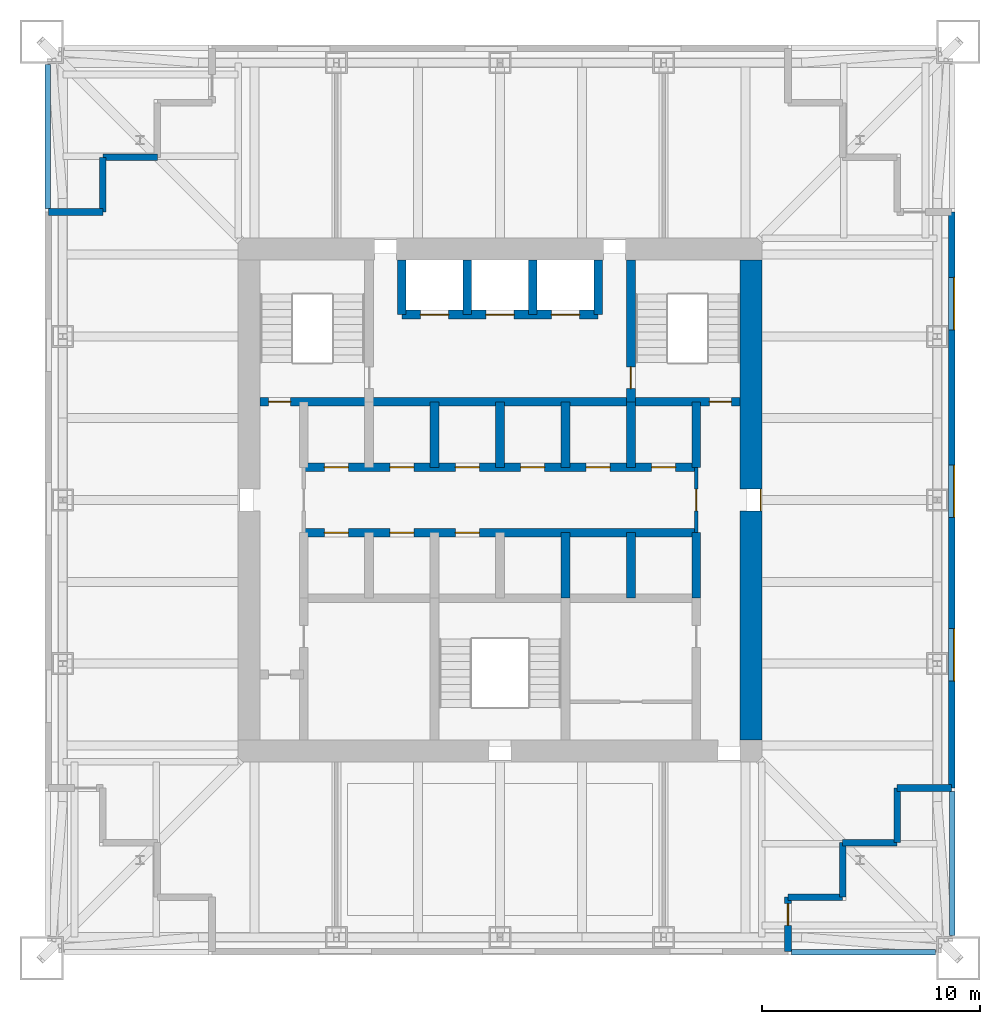
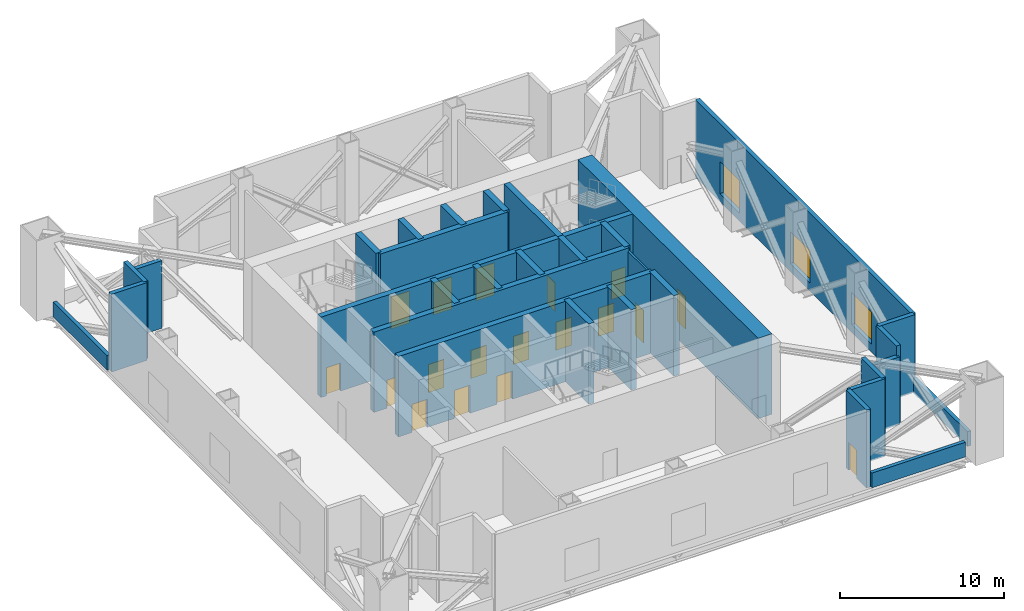
# One storey, part 4 of 7: 32 walls, 18 doors, 3 windows, 21 openings.
"""IFC4 building model written with IfcOpenShell, lengths in metres."""

import ifcopenshell
import ifcopenshell.guid

model = None  # the IFC model being written
_history = None  # IfcOwnerHistory: only IFC2X3 demands one
_inside = {}  # id of a spatial element -> (the spatial element, [elements in it])
_under = {}  # id of a project, library or spatial element -> (it, [spatial elements below it])
_declared = {}  # id of a project -> (the project, [libraries it declares])
_typed = {}  # id of a type object -> (the type object, [elements of that type])
_made_of = {}  # id of a material, layer set ... -> (it, [elements and type objects made of it])


def new_model(schema):
    """Start an empty IFC model of exactly this schema.

    Asked for "IFC4X3", IfcOpenShell would pick the latest addendum, in which some entities
    have other attributes; the version numbers below select the first issue.
    IFC2X3 requires an IfcOwnerHistory on every rooted entity: one is made here for all.
    """
    global model, _history
    if schema == "IFC4X3":
        model = ifcopenshell.file(schema_version=(4, 3, 0, 0))
    else:
        model = ifcopenshell.file(schema=schema)
    _inside.clear()
    _under.clear()
    _declared.clear()
    _typed.clear()
    _made_of.clear()
    _history = None
    if model.schema == "IFC2X3":
        org = make("IfcOrganization", Name="unknown")
        user = make(
            "IfcPersonAndOrganization",
            ThePerson=make("IfcPerson", FamilyName="unknown"),
            TheOrganization=org,
        )
        app = make(
            "IfcApplication",
            ApplicationDeveloper=org,
            Version="unknown",
            ApplicationFullName="unknown",
            ApplicationIdentifier="unknown",
        )
        _history = make(
            "IfcOwnerHistory",
            OwningUser=user,
            OwningApplication=app,
            ChangeAction="ADDED",
            CreationDate=0,
        )
    return model


def make(cls, **values):
    """One entity of the class cls with the attributes given. An attribute that is None is left unset."""
    return model.create_entity(
        cls, **{name: value for name, value in values.items() if value is not None}
    )


def rooted(cls, **values):
    """An entity with a GlobalId (a new one), such as an element, a storey or a relation."""
    return make(cls, GlobalId=ifcopenshell.guid.new(), OwnerHistory=_history, **values)


def si_unit(unit_type, name, prefix=None):
    """IfcSIUnit, for example si_unit("LENGTHUNIT", "METRE", prefix="MILLI")."""
    return make("IfcSIUnit", UnitType=unit_type, Prefix=prefix, Name=name)


def assignment(units):
    """IfcUnitAssignment: the units of a project."""
    return None if units is None else make("IfcUnitAssignment", Units=units)


def point(xyz):
    """IfcCartesianPoint."""
    return None if xyz is None else make("IfcCartesianPoint", Coordinates=xyz)


def direction(xyz):
    """IfcDirection."""
    return None if xyz is None else make("IfcDirection", DirectionRatios=xyz)


def frame(location, z_axis=None, x_axis=None):
    """IfcAxis2Placement3D, a coordinate frame: its origin and axes. An axis left out is left unset."""
    return make(
        "IfcAxis2Placement3D",
        Location=point(location),
        Axis=direction(z_axis),
        RefDirection=direction(x_axis),
    )


def frame_2d(location, x_axis=None):
    """IfcAxis2Placement2D, a coordinate frame in the plane: its origin and x axis."""
    return make(
        "IfcAxis2Placement2D", Location=point(location), RefDirection=direction(x_axis)
    )


def origin():
    """The frame at (0, 0, 0) with its axes left unset."""
    return frame((0.0, 0.0, 0.0))


def place(relative_to, where):
    """IfcLocalPlacement: puts the frame where relative to a parent placement (None: the world)."""
    return make(
        "IfcLocalPlacement", PlacementRelTo=relative_to, RelativePlacement=where
    )


def context(
    kind, dimensions, precision=None, world=None, true_north=None, identifier=None
):
    """IfcGeometricRepresentationContext, for example the 3D "Model" context."""
    return make(
        "IfcGeometricRepresentationContext",
        ContextIdentifier=identifier,
        ContextType=kind,
        CoordinateSpaceDimension=dimensions,
        Precision=precision,
        WorldCoordinateSystem=world,
        TrueNorth=true_north,
    )


def subcontext(parent, identifier, kind, view, scale=None):
    """IfcGeometricRepresentationSubContext, for example "Body" below "Model"."""
    return make(
        "IfcGeometricRepresentationSubContext",
        ContextIdentifier=identifier,
        ContextType=kind,
        ParentContext=parent,
        TargetScale=scale,
        TargetView=view,
    )


def project(units=None, contexts=None):
    """IfcProject with its units and contexts."""
    return rooted(
        "IfcProject",
        Name="project",
        RepresentationContexts=contexts,
        UnitsInContext=assignment(units),
    )


def spatial(cls, under=None, at=None, **own):
    """A site, building, storey or space (cls), placed at a placement, below another one or the project."""
    s = rooted(cls, ObjectPlacement=at, **own)
    if under is not None:
        _under.setdefault(under.id(), (under, []))[1].append(s)
    return s


def profile(cls, at=None, kind="AREA", **sizes):
    """A parametric profile (cls). Its sizes go by their IFC names, for example OverallWidth=200.0."""
    return make(cls, ProfileType=kind, Position=at, **sizes)


def rectangle(**sizes):
    """IfcRectangleProfileDef."""
    return profile("IfcRectangleProfileDef", **sizes)


def extrude(swept, where, along, depth):
    """IfcExtrudedAreaSolid: the profile swept, set in the frame where, extruded along a direction by depth."""
    return make(
        "IfcExtrudedAreaSolid",
        SweptArea=swept,
        Position=where,
        ExtrudedDirection=direction(along),
        Depth=depth,
    )


def shape(context_of_items, identifier, shape_type, items):
    """IfcShapeRepresentation: the items that make up one representation, for example the "Body"."""
    return make(
        "IfcShapeRepresentation",
        ContextOfItems=context_of_items,
        RepresentationIdentifier=identifier,
        RepresentationType=shape_type,
        Items=items,
    )


def material(Name=None, Category=None):
    """IfcMaterial."""
    return make("IfcMaterial", Name=Name, Category=Category)


def layer(
    of_material, thickness, ventilated=None, Name=None, Category=None, Priority=None
):
    """IfcMaterialLayer: one layer of a wall or slab, of a material (None: an air gap)."""
    return make(
        "IfcMaterialLayer",
        Material=of_material,
        LayerThickness=thickness,
        IsVentilated=ventilated,
        Name=Name,
        Category=Category,
        Priority=Priority,
    )


def layer_set(layers, Name=None):
    """IfcMaterialLayerSet."""
    return make("IfcMaterialLayerSet", MaterialLayers=layers, LayerSetName=Name)


def made_of(thing, what):
    """Note that an element or type object is made of a material, layer set ...; save() writes the relation."""
    if what is not None:
        _made_of.setdefault(what.id(), (what, []))[1].append(thing)
    return thing


def type_object(cls, material=None, **own):
    """A type object (cls), such as IfcWallType, which elements share."""
    return made_of(rooted(cls, **own), material)


def element(
    cls,
    number,
    at=None,
    inside=None,
    cuts=None,
    type_object=None,
    material=None,
    context=None,
    identifier="Body",
    shape_type=None,
    held_by="IfcProductDefinitionShape",
    body=None,
    shapes=None,
    **own,
):
    """One element of the class cls, such as IfcWall. Its Tag is "e" and its number.

    at: its placement. inside: the storey or other place that contains it. cuts: it is an
    opening in that element (IfcRelVoidsElement). A single representation is given by context,
    identifier, shape_type and body (its items); several are given by shapes. held_by: the class
    of the entity that holds the representations. save() writes the other relations.
    """
    e = rooted(cls, Tag="e%d" % number, ObjectPlacement=at, **own)
    if body is not None:
        shapes = [shape(context, identifier, shape_type, body)]
    if shapes is not None:
        e.Representation = make(held_by, Representations=shapes)
    if inside is not None:
        _inside.setdefault(inside.id(), (inside, []))[1].append(e)
    if cuts is not None:
        rooted(
            "IfcRelVoidsElement", RelatingBuildingElement=cuts, RelatedOpeningElement=e
        )
    if type_object is not None:
        _typed.setdefault(type_object.id(), (type_object, []))[1].append(e)
    return made_of(e, material)


def fill(opening, filler):
    """IfcRelFillsElement: the door or window that sits in an opening."""
    return rooted(
        "IfcRelFillsElement",
        RelatingOpeningElement=opening,
        RelatedBuildingElement=filler,
    )


def aggregate(whole, parts):
    """IfcRelAggregates: a whole, such as a stair, and the parts it consists of."""
    return rooted("IfcRelAggregates", RelatingObject=whole, RelatedObjects=parts)


def save(model, path):
    """Write the relations noted so far, then the file.

    IfcRelAggregates (storeys below a building ...), IfcRelContainedInSpatialStructure (elements
    in a storey), IfcRelDefinesByType, IfcRelAssociatesMaterial and IfcRelDeclares: one each for
    every whole, place, type object, material and project.
    """
    for whole, parts in _under.values():
        aggregate(whole, parts)
    for where, things in _inside.values():
        rooted(
            "IfcRelContainedInSpatialStructure",
            RelatedElements=things,
            RelatingStructure=where,
        )
    for kind, things in _typed.values():
        rooted("IfcRelDefinesByType", RelatedObjects=things, RelatingType=kind)
    for what, things in _made_of.values():
        rooted("IfcRelAssociatesMaterial", RelatedObjects=things, RelatingMaterial=what)
    for by, libraries in _declared.values():
        rooted("IfcRelDeclares", RelatingContext=by, RelatedDefinitions=libraries)
    model.write(path)


model = new_model("IFC4")

# Units and contexts
model_context = context("Model", 3, precision=1e-05, world=origin(), true_north=direction((0.0, 1.0)))
body_context = subcontext(model_context, "Body", "Model", "MODEL_VIEW")
ifc_project = project(units=[si_unit("LENGTHUNIT", "METRE"), si_unit("AREAUNIT", "SQUARE_METRE"), si_unit("VOLUMEUNIT", "CUBIC_METRE"), si_unit("PLANEANGLEUNIT", "RADIAN"), si_unit("MASSUNIT", "GRAM", prefix="KILO")], contexts=[model_context])

# Site, building, storey
site_placement = place(None, origin())
site = spatial("IfcSite", under=ifc_project, at=site_placement, CompositionType="ELEMENT")
building_placement = place(site_placement, origin())
building = spatial("IfcBuilding", under=site, at=building_placement, Name="Tarangal Relay Tower", CompositionType="ELEMENT")
storey_placement = place(building_placement, frame((0.0, 0.0, 335.89990234375)))
storey = spatial("IfcBuildingStorey", under=building, at=storey_placement, Name="L75", CompositionType="ELEMENT", Elevation=335.89990234375)

# Wall, openings, doors
ifc_material_1 = material(Name="Concrete fc' 60 MPa", Category="concrete")
ifc_layer_1 = layer(ifc_material_1, 0.39990234375)
ifc_layer_set_1 = layer_set([ifc_layer_1], Name="Core inner wall 400")
wall_type_1 = type_object("IfcWallType", Name="Core inner wall 400", PredefinedType="SHEAR", material=ifc_layer_set_1)
wall_1_placement = place(storey_placement, frame((-11.0, 4.5, 0.0), z_axis=(0.0, 0.0, 1.0), x_axis=(1.0, 0.0, 0.0)))
wall_1 = element("IfcWall", 1, at=wall_1_placement, inside=storey, type_object=wall_type_1, Name="Core wall Y45 L75", PredefinedType="SHEAR", context=body_context, shape_type="SweptSolid", body=[
    extrude(rectangle(XDim=22.0, YDim=0.39990234375, at=frame_2d((11.0, 0.0))), origin(), (0.0, 0.0, 1.0), 6.0),
])
opening_1_placement = place(wall_1_placement, frame((0.39990234375, 0.0, 0.0)))
opening_1 = element("IfcOpeningElement", 2, at=opening_1_placement, cuts=wall_1, Name="Opening FD1", PredefinedType="OPENING", context=body_context, shape_type="SweptSolid", body=[
    extrude(rectangle(XDim=1.0, YDim=2.10009765625, at=frame_2d((0.5, 1.050048828125))), frame((0.0, 0.2099609375, 0.0), z_axis=(0.0, -1.0, 0.0), x_axis=(1.0, 0.0, 0.0)), (0.0, 0.0, 1.0), 0.419921875),
])
opening_2_placement = place(wall_1_placement, frame((20.60009765625, 0.0, 0.0)))
opening_2 = element("IfcOpeningElement", 3, at=opening_2_placement, cuts=wall_1, Name="Opening FD1", PredefinedType="OPENING", context=body_context, shape_type="SweptSolid", body=[
    extrude(rectangle(XDim=1.0, YDim=2.10009765625, at=frame_2d((0.5, 1.050048828125))), frame((0.0, 0.2099609375, 0.0), z_axis=(0.0, -1.0, 0.0), x_axis=(1.0, 0.0, 0.0)), (0.0, 0.0, 1.0), 0.419921875),
])
ifc_material_2 = material(Name="Steel door with hardwood frame", Category="steel")
door_type_1 = type_object("IfcDoorType", Name="Fire door 1000 x 2100", OperationType="SINGLE_SWING_LEFT", PredefinedType="DOOR", material=ifc_material_2)
door_1_placement = place(opening_1_placement, origin())
door_1 = element("IfcDoor", 4, at=door_1_placement, inside=storey, type_object=door_type_1, Name="Stair ST-A door from corridor L75", OperationType="SINGLE_SWING_LEFT", OverallHeight=2.10009765625, OverallWidth=1.0, PredefinedType="DOOR", context=body_context, shape_type="SweptSolid", body=[
    extrude(rectangle(XDim=1.0, YDim=2.10009765625, at=frame_2d((0.5, 1.050048828125))), frame((0.0, 0.02490234375, 0.0), z_axis=(0.0, -1.0, 0.0), x_axis=(1.0, 0.0, 0.0)), (0.0, 0.0, 1.0), 0.050048828125),
])
fill(opening_1, door_1)
door_2_placement = place(opening_2_placement, origin())
door_2 = element("IfcDoor", 5, at=door_2_placement, inside=storey, type_object=door_type_1, Name="Stair ST-B door from corridor L75", OperationType="SINGLE_SWING_LEFT", OverallHeight=2.10009765625, OverallWidth=1.0, PredefinedType="DOOR", context=body_context, shape_type="SweptSolid", body=[
    extrude(rectangle(XDim=1.0, YDim=2.10009765625, at=frame_2d((0.5, 1.050048828125))), frame((0.0, 0.02490234375, 0.0), z_axis=(0.0, -1.0, 0.0), x_axis=(1.0, 0.0, 0.0)), (0.0, 0.0, 1.0), 0.050048828125),
])
fill(opening_2, door_2)

wall_2_placement = place(storey_placement, frame((-9.0, 1.5, 0.0), z_axis=(0.0, 0.0, 1.0), x_axis=(1.0, 0.0, 0.0)))
wall_2 = element("IfcWall", 6, at=wall_2_placement, inside=storey, type_object=wall_type_1, Name="Core wall Y15 L75", PredefinedType="SHEAR", context=body_context, shape_type="SweptSolid", body=[
    extrude(rectangle(XDim=18.0, YDim=0.39990234375, at=frame_2d((9.0, 0.0))), origin(), (0.0, 0.0, 1.0), 6.0),
])
opening_3_placement = place(wall_2_placement, frame((0.949951171875, 0.0, 0.0)))
opening_3 = element("IfcOpeningElement", 7, at=opening_3_placement, cuts=wall_2, Name="Opening D4", PredefinedType="OPENING", context=body_context, shape_type="SweptSolid", body=[
    extrude(rectangle(XDim=1.10009765625, YDim=2.10009765625, at=frame_2d((0.550048828125, 1.050048828125))), frame((0.0, 0.2099609375, 0.0), z_axis=(0.0, -1.0, 0.0), x_axis=(1.0, 0.0, 0.0)), (0.0, 0.0, 1.0), 0.419921875),
])
opening_4_placement = place(wall_2_placement, frame((3.949951171875, 0.0, 0.0)))
opening_4 = element("IfcOpeningElement", 8, at=opening_4_placement, cuts=wall_2, Name="Opening D4", PredefinedType="OPENING", context=body_context, shape_type="SweptSolid", body=[
    extrude(rectangle(XDim=1.10009765625, YDim=2.10009765625, at=frame_2d((0.550048828125, 1.050048828125))), frame((0.0, 0.2099609375, 0.0), z_axis=(0.0, -1.0, 0.0), x_axis=(1.0, 0.0, 0.0)), (0.0, 0.0, 1.0), 0.419921875),
])
opening_5_placement = place(wall_2_placement, frame((6.949951171875, 0.0, 0.0)))
opening_5 = element("IfcOpeningElement", 9, at=opening_5_placement, cuts=wall_2, Name="Opening D4", PredefinedType="OPENING", context=body_context, shape_type="SweptSolid", body=[
    extrude(rectangle(XDim=1.10009765625, YDim=2.10009765625, at=frame_2d((0.550048828125, 1.050048828125))), frame((0.0, 0.2099609375, 0.0), z_axis=(0.0, -1.0, 0.0), x_axis=(1.0, 0.0, 0.0)), (0.0, 0.0, 1.0), 0.419921875),
])
opening_6_placement = place(wall_2_placement, frame((9.949951171875, 0.0, 0.0)))
opening_6 = element("IfcOpeningElement", 10, at=opening_6_placement, cuts=wall_2, Name="Opening D4", PredefinedType="OPENING", context=body_context, shape_type="SweptSolid", body=[
    extrude(rectangle(XDim=1.10009765625, YDim=2.10009765625, at=frame_2d((0.550048828125, 1.050048828125))), frame((0.0, 0.2099609375, 0.0), z_axis=(0.0, -1.0, 0.0), x_axis=(1.0, 0.0, 0.0)), (0.0, 0.0, 1.0), 0.419921875),
])
opening_7_placement = place(wall_2_placement, frame((12.949951171875, 0.0, 0.0)))
opening_7 = element("IfcOpeningElement", 11, at=opening_7_placement, cuts=wall_2, Name="Opening D4", PredefinedType="OPENING", context=body_context, shape_type="SweptSolid", body=[
    extrude(rectangle(XDim=1.10009765625, YDim=2.10009765625, at=frame_2d((0.550048828125, 1.050048828125))), frame((0.0, 0.2099609375, 0.0), z_axis=(0.0, -1.0, 0.0), x_axis=(1.0, 0.0, 0.0)), (0.0, 0.0, 1.0), 0.419921875),
])
opening_8_placement = place(wall_2_placement, frame((15.949951171875, 0.0, 0.0)))
opening_8 = element("IfcOpeningElement", 12, at=opening_8_placement, cuts=wall_2, Name="Opening D4", PredefinedType="OPENING", context=body_context, shape_type="SweptSolid", body=[
    extrude(rectangle(XDim=1.10009765625, YDim=2.10009765625, at=frame_2d((0.550048828125, 1.050048828125))), frame((0.0, 0.2099609375, 0.0), z_axis=(0.0, -1.0, 0.0), x_axis=(1.0, 0.0, 0.0)), (0.0, 0.0, 1.0), 0.419921875),
])
door_type_2 = type_object("IfcDoorType", Name="Core room door 1100 x 2100", OperationType="SINGLE_SWING_RIGHT", PredefinedType="DOOR", material=ifc_material_2)
door_3_placement = place(opening_3_placement, origin())
door_3 = element("IfcDoor", 13, at=door_3_placement, inside=storey, type_object=door_type_2, Name="Door D4 to back-of-house plant room L75-D1", OperationType="SINGLE_SWING_RIGHT", OverallHeight=2.10009765625, OverallWidth=1.10009765625, PredefinedType="DOOR", context=body_context, shape_type="SweptSolid", body=[
    extrude(rectangle(XDim=1.10009765625, YDim=2.10009765625, at=frame_2d((0.550048828125, 1.050048828125))), frame((0.0, 0.02490234375, 0.0), z_axis=(0.0, -1.0, 0.0), x_axis=(1.0, 0.0, 0.0)), (0.0, 0.0, 1.0), 0.050048828125),
])
fill(opening_3, door_3)
door_4_placement = place(opening_4_placement, origin())
door_4 = element("IfcDoor", 14, at=door_4_placement, inside=storey, type_object=door_type_2, Name="Door D4 to back-of-house plant room L75-D2", OperationType="SINGLE_SWING_RIGHT", OverallHeight=2.10009765625, OverallWidth=1.10009765625, PredefinedType="DOOR", context=body_context, shape_type="SweptSolid", body=[
    extrude(rectangle(XDim=1.10009765625, YDim=2.10009765625, at=frame_2d((0.550048828125, 1.050048828125))), frame((0.0, 0.02490234375, 0.0), z_axis=(0.0, -1.0, 0.0), x_axis=(1.0, 0.0, 0.0)), (0.0, 0.0, 1.0), 0.050048828125),
])
fill(opening_4, door_4)
door_5_placement = place(opening_5_placement, origin())
door_5 = element("IfcDoor", 15, at=door_5_placement, inside=storey, type_object=door_type_2, Name="Door D4 to back-of-house plant room L75-D3", OperationType="SINGLE_SWING_RIGHT", OverallHeight=2.10009765625, OverallWidth=1.10009765625, PredefinedType="DOOR", context=body_context, shape_type="SweptSolid", body=[
    extrude(rectangle(XDim=1.10009765625, YDim=2.10009765625, at=frame_2d((0.550048828125, 1.050048828125))), frame((0.0, 0.02490234375, 0.0), z_axis=(0.0, -1.0, 0.0), x_axis=(1.0, 0.0, 0.0)), (0.0, 0.0, 1.0), 0.050048828125),
])
fill(opening_5, door_5)
door_6_placement = place(opening_6_placement, origin())
door_6 = element("IfcDoor", 16, at=door_6_placement, inside=storey, type_object=door_type_2, Name="Door D4 to back-of-house plant room L75-T1", OperationType="SINGLE_SWING_RIGHT", OverallHeight=2.10009765625, OverallWidth=1.10009765625, PredefinedType="DOOR", context=body_context, shape_type="SweptSolid", body=[
    extrude(rectangle(XDim=1.10009765625, YDim=2.10009765625, at=frame_2d((0.550048828125, 1.050048828125))), frame((0.0, 0.02490234375, 0.0), z_axis=(0.0, -1.0, 0.0), x_axis=(1.0, 0.0, 0.0)), (0.0, 0.0, 1.0), 0.050048828125),
])
fill(opening_6, door_6)
door_7_placement = place(opening_7_placement, origin())
door_7 = element("IfcDoor", 17, at=door_7_placement, inside=storey, type_object=door_type_2, Name="Door D4 to back-of-house plant room L75-T2", OperationType="SINGLE_SWING_RIGHT", OverallHeight=2.10009765625, OverallWidth=1.10009765625, PredefinedType="DOOR", context=body_context, shape_type="SweptSolid", body=[
    extrude(rectangle(XDim=1.10009765625, YDim=2.10009765625, at=frame_2d((0.550048828125, 1.050048828125))), frame((0.0, 0.02490234375, 0.0), z_axis=(0.0, -1.0, 0.0), x_axis=(1.0, 0.0, 0.0)), (0.0, 0.0, 1.0), 0.050048828125),
])
fill(opening_7, door_7)
door_8_placement = place(opening_8_placement, origin())
door_8 = element("IfcDoor", 18, at=door_8_placement, inside=storey, type_object=door_type_2, Name="Door D4 to back-of-house plant room L75-T3", OperationType="SINGLE_SWING_RIGHT", OverallHeight=2.10009765625, OverallWidth=1.10009765625, PredefinedType="DOOR", context=body_context, shape_type="SweptSolid", body=[
    extrude(rectangle(XDim=1.10009765625, YDim=2.10009765625, at=frame_2d((0.550048828125, 1.050048828125))), frame((0.0, 0.02490234375, 0.0), z_axis=(0.0, -1.0, 0.0), x_axis=(1.0, 0.0, 0.0)), (0.0, 0.0, 1.0), 0.050048828125),
])
fill(opening_8, door_8)

wall_3_placement = place(storey_placement, frame((-9.0, -1.5, 0.0), z_axis=(0.0, 0.0, 1.0), x_axis=(1.0, 0.0, 0.0)))
wall_3 = element("IfcWall", 19, at=wall_3_placement, inside=storey, type_object=wall_type_1, Name="Core wall YM15 L75", PredefinedType="SHEAR", context=body_context, shape_type="SweptSolid", body=[
    extrude(rectangle(XDim=18.0, YDim=0.39990234375, at=frame_2d((9.0, 0.0))), origin(), (0.0, 0.0, 1.0), 6.0),
])
opening_9_placement = place(wall_3_placement, frame((0.949951171875, 0.0, 0.0)))
opening_9 = element("IfcOpeningElement", 20, at=opening_9_placement, cuts=wall_3, Name="Opening D4", PredefinedType="OPENING", context=body_context, shape_type="SweptSolid", body=[
    extrude(rectangle(XDim=1.10009765625, YDim=2.10009765625, at=frame_2d((0.550048828125, 1.050048828125))), frame((0.0, 0.2099609375, 0.0), z_axis=(0.0, -1.0, 0.0), x_axis=(1.0, 0.0, 0.0)), (0.0, 0.0, 1.0), 0.419921875),
])
opening_10_placement = place(wall_3_placement, frame((3.949951171875, 0.0, 0.0)))
opening_10 = element("IfcOpeningElement", 21, at=opening_10_placement, cuts=wall_3, Name="Opening D4", PredefinedType="OPENING", context=body_context, shape_type="SweptSolid", body=[
    extrude(rectangle(XDim=1.10009765625, YDim=2.10009765625, at=frame_2d((0.550048828125, 1.050048828125))), frame((0.0, 0.2099609375, 0.0), z_axis=(0.0, -1.0, 0.0), x_axis=(1.0, 0.0, 0.0)), (0.0, 0.0, 1.0), 0.419921875),
])
opening_11_placement = place(wall_3_placement, frame((6.949951171875, 0.0, 0.0)))
opening_11 = element("IfcOpeningElement", 22, at=opening_11_placement, cuts=wall_3, Name="Opening D4", PredefinedType="OPENING", context=body_context, shape_type="SweptSolid", body=[
    extrude(rectangle(XDim=1.10009765625, YDim=2.10009765625, at=frame_2d((0.550048828125, 1.050048828125))), frame((0.0, 0.2099609375, 0.0), z_axis=(0.0, -1.0, 0.0), x_axis=(1.0, 0.0, 0.0)), (0.0, 0.0, 1.0), 0.419921875),
])
door_9_placement = place(opening_9_placement, origin())
door_9 = element("IfcDoor", 23, at=door_9_placement, inside=storey, type_object=door_type_2, Name="Door D4 to back-of-house plant room L75-S1", OperationType="SINGLE_SWING_RIGHT", OverallHeight=2.10009765625, OverallWidth=1.10009765625, PredefinedType="DOOR", context=body_context, shape_type="SweptSolid", body=[
    extrude(rectangle(XDim=1.10009765625, YDim=2.10009765625, at=frame_2d((0.550048828125, 1.050048828125))), frame((0.0, 0.02490234375, 0.0), z_axis=(0.0, -1.0, 0.0), x_axis=(1.0, 0.0, 0.0)), (0.0, 0.0, 1.0), 0.050048828125),
])
fill(opening_9, door_9)
door_10_placement = place(opening_10_placement, origin())
door_10 = element("IfcDoor", 24, at=door_10_placement, inside=storey, type_object=door_type_2, Name="Door D4 to back-of-house plant room L75-S2", OperationType="SINGLE_SWING_RIGHT", OverallHeight=2.10009765625, OverallWidth=1.10009765625, PredefinedType="DOOR", context=body_context, shape_type="SweptSolid", body=[
    extrude(rectangle(XDim=1.10009765625, YDim=2.10009765625, at=frame_2d((0.550048828125, 1.050048828125))), frame((0.0, 0.02490234375, 0.0), z_axis=(0.0, -1.0, 0.0), x_axis=(1.0, 0.0, 0.0)), (0.0, 0.0, 1.0), 0.050048828125),
])
fill(opening_10, door_10)
door_11_placement = place(opening_11_placement, origin())
door_11 = element("IfcDoor", 25, at=door_11_placement, inside=storey, type_object=door_type_2, Name="Door D4 to back-of-house plant room L75-S3", OperationType="SINGLE_SWING_RIGHT", OverallHeight=2.10009765625, OverallWidth=1.10009765625, PredefinedType="DOOR", context=body_context, shape_type="SweptSolid", body=[
    extrude(rectangle(XDim=1.10009765625, YDim=2.10009765625, at=frame_2d((0.550048828125, 1.050048828125))), frame((0.0, 0.02490234375, 0.0), z_axis=(0.0, -1.0, 0.0), x_axis=(1.0, 0.0, 0.0)), (0.0, 0.0, 1.0), 0.050048828125),
])
fill(opening_11, door_11)

wall_4_placement = place(storey_placement, frame((-4.5, 8.5, 0.0), z_axis=(0.0, 0.0, 1.0), x_axis=(1.0, 0.0, 0.0)))
wall_4 = element("IfcWall", 26, at=wall_4_placement, inside=storey, type_object=wall_type_1, Name="Core wall Y85 L75", PredefinedType="SHEAR", context=body_context, shape_type="SweptSolid", body=[
    extrude(rectangle(XDim=9.0, YDim=0.39990234375, at=frame_2d((4.5, 0.0))), origin(), (0.0, 0.0, 1.0), 6.0),
])
opening_12_placement = place(wall_4_placement, frame((0.85009765625, 0.0, 0.0)))
opening_12 = element("IfcOpeningElement", 27, at=opening_12_placement, cuts=wall_4, Name="Opening LD2", PredefinedType="OPENING", context=body_context, shape_type="SweptSolid", body=[
    extrude(rectangle(XDim=1.300048828125, YDim=2.39990234375, at=frame_2d((0.64990234375, 1.199951171875))), frame((0.0, 0.2099609375, 0.0), z_axis=(0.0, -1.0, 0.0), x_axis=(1.0, 0.0, 0.0)), (0.0, 0.0, 1.0), 0.419921875),
])
opening_13_placement = place(wall_4_placement, frame((6.85009765625, 0.0, 0.0)))
opening_13 = element("IfcOpeningElement", 28, at=opening_13_placement, cuts=wall_4, Name="Opening LD2", PredefinedType="OPENING", context=body_context, shape_type="SweptSolid", body=[
    extrude(rectangle(XDim=1.300048828125, YDim=2.39990234375, at=frame_2d((0.64990234375, 1.199951171875))), frame((0.0, 0.2099609375, 0.0), z_axis=(0.0, -1.0, 0.0), x_axis=(1.0, 0.0, 0.0)), (0.0, 0.0, 1.0), 0.419921875),
])
opening_14_placement = place(wall_4_placement, frame((3.85009765625, 0.0, 0.0)))
opening_14 = element("IfcOpeningElement", 29, at=opening_14_placement, cuts=wall_4, Name="Opening LD2", PredefinedType="OPENING", context=body_context, shape_type="SweptSolid", body=[
    extrude(rectangle(XDim=1.300048828125, YDim=2.39990234375, at=frame_2d((0.64990234375, 1.199951171875))), frame((0.0, 0.2099609375, 0.0), z_axis=(0.0, -1.0, 0.0), x_axis=(1.0, 0.0, 0.0)), (0.0, 0.0, 1.0), 0.419921875),
])
door_type_3 = type_object("IfcDoorType", Name="Lift landing door 1300 x 2400", OperationType="SLIDING_TO_LEFT", PredefinedType="DOOR", material=ifc_material_2)
door_12_placement = place(opening_12_placement, origin())
door_12 = element("IfcDoor", 30, at=door_12_placement, inside=storey, type_object=door_type_3, Name="Lift FF1 landing door L75", OperationType="SLIDING_TO_LEFT", OverallHeight=2.39990234375, OverallWidth=1.300048828125, PredefinedType="DOOR", context=body_context, shape_type="SweptSolid", body=[
    extrude(rectangle(XDim=1.300048828125, YDim=2.39990234375, at=frame_2d((0.64990234375, 1.199951171875))), frame((0.0, 0.02490234375, 0.0), z_axis=(0.0, -1.0, 0.0), x_axis=(1.0, 0.0, 0.0)), (0.0, 0.0, 1.0), 0.050048828125),
])
fill(opening_12, door_12)
door_13_placement = place(opening_13_placement, origin())
door_13 = element("IfcDoor", 31, at=door_13_placement, inside=storey, type_object=door_type_3, Name="Lift FF2 landing door L75", OperationType="SLIDING_TO_LEFT", OverallHeight=2.39990234375, OverallWidth=1.300048828125, PredefinedType="DOOR", context=body_context, shape_type="SweptSolid", body=[
    extrude(rectangle(XDim=1.300048828125, YDim=2.39990234375, at=frame_2d((0.64990234375, 1.199951171875))), frame((0.0, 0.02490234375, 0.0), z_axis=(0.0, -1.0, 0.0), x_axis=(1.0, 0.0, 0.0)), (0.0, 0.0, 1.0), 0.050048828125),
])
fill(opening_13, door_13)
door_14_placement = place(opening_14_placement, origin())
door_14 = element("IfcDoor", 32, at=door_14_placement, inside=storey, type_object=door_type_3, Name="Lift SV1 landing door L75", OperationType="SLIDING_TO_LEFT", OverallHeight=2.39990234375, OverallWidth=1.300048828125, PredefinedType="DOOR", context=body_context, shape_type="SweptSolid", body=[
    extrude(rectangle(XDim=1.300048828125, YDim=2.39990234375, at=frame_2d((0.64990234375, 1.199951171875))), frame((0.0, 0.02490234375, 0.0), z_axis=(0.0, -1.0, 0.0), x_axis=(1.0, 0.0, 0.0)), (0.0, 0.0, 1.0), 0.050048828125),
])
fill(opening_14, door_14)

# Walls
for number, where, z_axis, x_axis, name in (
    (33, (9.0, 1.5, 0.0), (0.0, 0.0, 1.0), (0.0, 1.0, 0.0), "Core wall X9N L75"),
    (34, (9.0, -4.5, 0.0), (0.0, 0.0, 1.0), (0.0, 1.0, 0.0), "Core wall X9S L75"),
    (35, (-3.0, 1.5, 0.0), (0.0, 0.0, 1.0), (0.0, 1.0, 0.0), "Core wall XM3N L75"),
    (36, (0.0, 1.5, 0.0), (0.0, 0.0, 1.0), (0.0, 1.0, 0.0), "Core wall X0N L75"),
    (37, (3.0, 1.5, 0.0), (0.0, 0.0, 1.0), (0.0, 1.0, 0.0), "Core wall X3N L75"),
    (38, (6.0, 1.5, 0.0), (0.0, 0.0, 1.0), (0.0, 1.0, 0.0), "Core wall X6N L75"),
    (39, (3.0, -4.5, 0.0), (0.0, 0.0, 1.0), (0.0, 1.0, 0.0), "Core wall X3S L75"),
    (40, (6.0, -4.5, 0.0), (0.0, 0.0, 1.0), (0.0, 1.0, 0.0), "Core wall X6S L75"),
):
    element("IfcWall", number, at=place(storey_placement, frame(where, z_axis=z_axis, x_axis=x_axis)), inside=storey, type_object=wall_type_1, Name=name, PredefinedType="SHEAR", context=body_context, shape_type="SweptSolid", body=[
        extrude(rectangle(XDim=3.0, YDim=0.39990234375, at=frame_2d((1.5, 0.0))), origin(), (0.0, 0.0, 1.0), 6.0),
    ])

# Wall, opening, door
wall_5_placement = place(storey_placement, frame((6.0, 4.5, 0.0), z_axis=(0.0, 0.0, 1.0), x_axis=(0.0, 1.0, 0.0)))
wall_5 = element("IfcWall", 41, at=wall_5_placement, inside=storey, type_object=wall_type_1, Name="Core wall X6 L75", PredefinedType="SHEAR", context=body_context, shape_type="SweptSolid", body=[
    extrude(rectangle(XDim=6.5, YDim=0.39990234375, at=frame_2d((3.25, 0.0))), origin(), (0.0, 0.0, 1.0), 6.0),
])
opening_15_placement = place(wall_5_placement, frame((0.60009765625, 0.0, 0.0)))
opening_15 = element("IfcOpeningElement", 42, at=opening_15_placement, cuts=wall_5, Name="Opening FD1", PredefinedType="OPENING", context=body_context, shape_type="SweptSolid", body=[
    extrude(rectangle(XDim=1.0, YDim=2.10009765625, at=frame_2d((0.5, 1.050048828125))), frame((0.0, 0.2099609375, 0.0), z_axis=(0.0, -1.0, 0.0), x_axis=(1.0, 0.0, 0.0)), (0.0, 0.0, 1.0), 0.419921875),
])
door_15_placement = place(opening_15_placement, origin())
door_15 = element("IfcDoor", 43, at=door_15_placement, inside=storey, type_object=door_type_1, Name="Stair ST-B door from fire-fighting lobby L75", OperationType="SINGLE_SWING_LEFT", OverallHeight=2.10009765625, OverallWidth=1.0, PredefinedType="DOOR", context=body_context, shape_type="SweptSolid", body=[
    extrude(rectangle(XDim=1.0, YDim=2.10009765625, at=frame_2d((0.5, 1.050048828125))), frame((0.0, 0.02490234375, 0.0), z_axis=(0.0, -1.0, 0.0), x_axis=(1.0, 0.0, 0.0)), (0.0, 0.0, 1.0), 0.050048828125),
])
fill(opening_15, door_15)

# Walls
for number, where, z_axis, x_axis, name in (
    (44, (-4.5, 8.5, 0.0), (0.0, 0.0, 1.0), (0.0, 1.0, 0.0), "Core wall XM45 L75"),
    (45, (4.5, 8.5, 0.0), (0.0, 0.0, 1.0), (0.0, 1.0, 0.0), "Core wall X45 L75"),
    (46, (-1.5, 8.5, 0.0), (0.0, 0.0, 1.0), (0.0, 1.0, 0.0), "Core wall XM15 L75"),
    (47, (1.5, 8.5, 0.0), (0.0, 0.0, 1.0), (0.0, 1.0, 0.0), "Core wall X15 L75"),
):
    element("IfcWall", number, at=place(storey_placement, frame(where, z_axis=z_axis, x_axis=x_axis)), inside=storey, type_object=wall_type_1, Name=name, PredefinedType="SHEAR", context=body_context, shape_type="SweptSolid", body=[
        extrude(rectangle(XDim=2.5, YDim=0.39990234375, at=frame_2d((1.25, 0.0))), origin(), (0.0, 0.0, 1.0), 6.0),
    ])

# Wall, opening, door
ifc_layer_2 = layer(ifc_material_1, 1.0)
ifc_layer_set_2 = layer_set([ifc_layer_2], Name="Core wall 1000")
wall_type_2 = type_object("IfcWallType", Name="Core wall 1000", PredefinedType="SHEAR", material=ifc_layer_set_2)
wall_6_placement = place(storey_placement, frame((11.5, 11.0, 0.0), z_axis=(0.0, 0.0, 1.0), x_axis=(0.0, -1.0, 0.0)))
wall_6 = element("IfcWall", 48, at=wall_6_placement, inside=storey, type_object=wall_type_2, Name="Core wall E L75", PredefinedType="SHEAR", context=body_context, shape_type="SweptSolid", body=[
    extrude(rectangle(XDim=22.0, YDim=1.0, at=frame_2d((11.0, 0.0))), origin(), (0.0, 0.0, 1.0), 6.0),
])
opening_16_placement = place(wall_6_placement, frame((10.5, 0.0, 0.0)))
opening_16 = element("IfcOpeningElement", 49, at=opening_16_placement, cuts=wall_6, Name="Opening FD3", PredefinedType="OPENING", context=body_context, shape_type="SweptSolid", body=[
    extrude(rectangle(XDim=1.0, YDim=2.39990234375, at=frame_2d((0.5, 1.199951171875))), frame((0.0, 0.510009765625, 0.0), z_axis=(0.0, -1.0, 0.0), x_axis=(1.0, 0.0, 0.0)), (0.0, 0.0, 1.0), 1.02001953125),
])
door_type_4 = type_object("IfcDoorType", Name="Fire door 1000 x 2400 core entry", OperationType="SINGLE_SWING_RIGHT", PredefinedType="DOOR", material=ifc_material_2)
door_16_placement = place(opening_16_placement, origin())
door_16 = element("IfcDoor", 50, at=door_16_placement, inside=storey, type_object=door_type_4, Name="Core entry door east L75", OperationType="SINGLE_SWING_RIGHT", OverallHeight=2.39990234375, OverallWidth=1.0, PredefinedType="DOOR", context=body_context, shape_type="SweptSolid", body=[
    extrude(rectangle(XDim=1.0, YDim=2.39990234375, at=frame_2d((0.5, 1.199951171875))), frame((0.0, 0.48486328125, 0.0), z_axis=(0.0, -1.0, 0.0), x_axis=(1.0, 0.0, 0.0)), (0.0, 0.0, 1.0), 0.050048828125),
])
fill(opening_16, door_16)

# Wall, openings, windows
ifc_material_3 = material(Name="Insulated precast concrete fc' 40 MPa", Category="concrete")
ifc_layer_3 = layer(ifc_material_3, 0.300048828125)
ifc_layer_set_3 = layer_set([ifc_layer_3], Name="Insulated precast concrete fc' 40 MPa")
wall_type_3 = type_object("IfcWallType", Name="Facade wall precast 300", PredefinedType="SOLIDWALL", material=ifc_layer_set_3)
wall_7_placement = place(storey_placement, frame((20.699951171875, 13.199951171875, 0.0), z_axis=(0.0, 0.0, 1.0), x_axis=(0.0, -1.0, 0.0)))
wall_7 = element("IfcWall", 51, at=wall_7_placement, inside=storey, type_object=wall_type_3, Name="Facade wall E facade L75", PredefinedType="SOLIDWALL", context=body_context, shape_type="SweptSolid", body=[
    extrude(rectangle(XDim=26.39990234375, YDim=0.300048828125, at=frame_2d((13.199951171875, 0.0))), origin(), (0.0, 0.0, 1.0), 5.800048828125),
])
opening_17_placement = place(wall_7_placement, frame((3.0, 0.0, 0.60009765625)))
opening_17 = element("IfcOpeningElement", 52, at=opening_17_placement, cuts=wall_7, Name="Opening LV1", PredefinedType="OPENING", context=body_context, shape_type="SweptSolid", body=[
    extrude(rectangle(XDim=2.39990234375, YDim=2.39990234375, at=frame_2d((1.199951171875, 1.199951171875))), frame((0.0, 0.159912109375, 0.0), z_axis=(0.0, -1.0, 0.0), x_axis=(1.0, 0.0, 0.0)), (0.0, 0.0, 1.0), 0.320068359375),
])
opening_18_placement = place(wall_7_placement, frame((11.60009765625, 0.0, 0.60009765625)))
opening_18 = element("IfcOpeningElement", 53, at=opening_18_placement, cuts=wall_7, Name="Opening LV1", PredefinedType="OPENING", context=body_context, shape_type="SweptSolid", body=[
    extrude(rectangle(XDim=2.39990234375, YDim=2.39990234375, at=frame_2d((1.199951171875, 1.199951171875))), frame((0.0, 0.159912109375, 0.0), z_axis=(0.0, -1.0, 0.0), x_axis=(1.0, 0.0, 0.0)), (0.0, 0.0, 1.0), 0.320068359375),
])
opening_19_placement = place(wall_7_placement, frame((19.10009765625, 0.0, 0.60009765625)))
opening_19 = element("IfcOpeningElement", 54, at=opening_19_placement, cuts=wall_7, Name="Opening LV1", PredefinedType="OPENING", context=body_context, shape_type="SweptSolid", body=[
    extrude(rectangle(XDim=2.39990234375, YDim=2.39990234375, at=frame_2d((1.199951171875, 1.199951171875))), frame((0.0, 0.159912109375, 0.0), z_axis=(0.0, -1.0, 0.0), x_axis=(1.0, 0.0, 0.0)), (0.0, 0.0, 1.0), 0.320068359375),
])
ifc_material_4 = material(Name="Black aluminium weather louvre", Category="aluminium")
window_type = type_object("IfcWindowType", Name="Louvre 2400 x 2400", PartitioningType="SINGLE_PANEL", PredefinedType="WINDOW", material=ifc_material_4)
window_1_placement = place(opening_17_placement, origin())
window_1 = element("IfcWindow", 55, at=window_1_placement, inside=storey, type_object=window_type, Name="Louvre LV1 E facade L75", OverallHeight=2.39990234375, OverallWidth=2.39990234375, PartitioningType="SINGLE_PANEL", PredefinedType="WINDOW", context=body_context, shape_type="SweptSolid", body=[
    extrude(rectangle(XDim=2.39990234375, YDim=2.39990234375, at=frame_2d((1.199951171875, 1.199951171875))), frame((0.0, 0.150146484375, 0.0), z_axis=(0.0, -1.0, 0.0), x_axis=(1.0, 0.0, 0.0)), (0.0, 0.0, 1.0), 0.06005859375),
])
fill(opening_17, window_1)
window_2_placement = place(opening_18_placement, origin())
window_2 = element("IfcWindow", 56, at=window_2_placement, inside=storey, type_object=window_type, Name="Louvre LV1 E facade L75", OverallHeight=2.39990234375, OverallWidth=2.39990234375, PartitioningType="SINGLE_PANEL", PredefinedType="WINDOW", context=body_context, shape_type="SweptSolid", body=[
    extrude(rectangle(XDim=2.39990234375, YDim=2.39990234375, at=frame_2d((1.199951171875, 1.199951171875))), frame((0.0, 0.150146484375, 0.0), z_axis=(0.0, -1.0, 0.0), x_axis=(1.0, 0.0, 0.0)), (0.0, 0.0, 1.0), 0.06005859375),
])
fill(opening_18, window_2)
window_3_placement = place(opening_19_placement, origin())
window_3 = element("IfcWindow", 57, at=window_3_placement, inside=storey, type_object=window_type, Name="Louvre LV1 E facade L75", OverallHeight=2.39990234375, OverallWidth=2.39990234375, PartitioningType="SINGLE_PANEL", PredefinedType="WINDOW", context=body_context, shape_type="SweptSolid", body=[
    extrude(rectangle(XDim=2.39990234375, YDim=2.39990234375, at=frame_2d((1.199951171875, 1.199951171875))), frame((0.0, 0.150146484375, 0.0), z_axis=(0.0, -1.0, 0.0), x_axis=(1.0, 0.0, 0.0)), (0.0, 0.0, 1.0), 0.06005859375),
])
fill(opening_19, window_3)

# Walls
for number, where, z_axis, x_axis, name in (
    (58, (20.699951171875, -13.199951171875, 0.0), (0.0, 0.0, 1.0), (-1.0, 0.0, 0.0), "Facade wall E facade L75"),
    (59, (18.199951171875, -13.199951171875, 0.0), (0.0, 0.0, 1.0), (0.0, -1.0, 0.0), "Facade wall E facade L75"),
):
    element("IfcWall", number, at=place(storey_placement, frame(where, z_axis=z_axis, x_axis=x_axis)), inside=storey, type_object=wall_type_3, Name=name, PredefinedType="SOLIDWALL", context=body_context, shape_type="SweptSolid", body=[
        extrude(rectangle(XDim=2.5, YDim=0.300048828125, at=frame_2d((1.25, 0.0))), origin(), (0.0, 0.0, 1.0), 5.800048828125),
    ])
wall_8_placement = place(storey_placement, frame((18.199951171875, -15.699951171875, 0.0), z_axis=(0.0, 0.0, 1.0), x_axis=(-1.0, 0.0, 0.0)))
element("IfcWall", 60, at=wall_8_placement, inside=storey, type_object=wall_type_3, Name="Facade wall E facade L75", PredefinedType="SOLIDWALL", context=body_context, shape_type="SweptSolid", body=[
    extrude(rectangle(XDim=2.5, YDim=0.300048828125, at=frame_2d((1.25, 0.0))), origin(), (0.0, 0.0, 1.0), 5.045654296875),
])
for number, where, z_axis, x_axis, name in (
    (61, (15.699951171875, -15.699951171875, 0.0), (0.0, 0.0, 1.0), (0.0, -1.0, 0.0), "Facade wall E facade L75"),
    (62, (15.699951171875, -18.199951171875, 0.0), (0.0, 0.0, 1.0), (-1.0, 0.0, 0.0), "Facade wall E facade L75"),
):
    element("IfcWall", number, at=place(storey_placement, frame(where, z_axis=z_axis, x_axis=x_axis)), inside=storey, type_object=wall_type_3, Name=name, PredefinedType="SOLIDWALL", context=body_context, shape_type="SweptSolid", body=[
        extrude(rectangle(XDim=2.5, YDim=0.300048828125, at=frame_2d((1.25, 0.0))), origin(), (0.0, 0.0, 1.0), 5.800048828125),
    ])

# Wall, opening, door
wall_9_placement = place(storey_placement, frame((13.199951171875, -18.199951171875, 0.0), z_axis=(0.0, 0.0, 1.0), x_axis=(0.0, -1.0, 0.0)))
wall_9 = element("IfcWall", 63, at=wall_9_placement, inside=storey, type_object=wall_type_3, Name="Facade wall E facade L75", PredefinedType="SOLIDWALL", context=body_context, shape_type="SweptSolid", body=[
    extrude(rectangle(XDim=2.5, YDim=0.300048828125, at=frame_2d((1.25, 0.0))), origin(), (0.0, 0.0, 1.0), 5.800048828125),
])
opening_20_placement = place(wall_9_placement, frame((0.300048828125, 0.0, 0.0)))
opening_20 = element("IfcOpeningElement", 64, at=opening_20_placement, cuts=wall_9, Name="Opening MD1", PredefinedType="OPENING", context=body_context, shape_type="SweptSolid", body=[
    extrude(rectangle(XDim=1.0, YDim=2.10009765625, at=frame_2d((0.5, 1.050048828125))), frame((0.0, 0.159912109375, 0.0), z_axis=(0.0, -1.0, 0.0), x_axis=(1.0, 0.0, 0.0)), (0.0, 0.0, 1.0), 0.320068359375),
])
door_type_5 = type_object("IfcDoorType", Name="Maintenance access door 1000 x 2100", OperationType="SINGLE_SWING_RIGHT", PredefinedType="DOOR", material=ifc_material_2)
door_17_placement = place(opening_20_placement, origin())
door_17 = element("IfcDoor", 65, at=door_17_placement, inside=storey, type_object=door_type_5, Name="Maintenance access door MD1 SE L75", OperationType="SINGLE_SWING_RIGHT", OverallHeight=2.10009765625, OverallWidth=1.0, PredefinedType="DOOR", context=body_context, shape_type="SweptSolid", body=[
    extrude(rectangle(XDim=1.0, YDim=2.10009765625, at=frame_2d((0.5, 1.050048828125))), frame((0.0, 0.02490234375, 0.0), z_axis=(0.0, -1.0, 0.0), x_axis=(1.0, 0.0, 0.0)), (0.0, 0.0, 1.0), 0.050048828125),
])
fill(opening_20, door_17)

# Walls
for number, where, z_axis, x_axis, name in (
    (66, (-20.699951171875, 13.199951171875, 0.0), (0.0, 0.0, 1.0), (1.0, 0.0, 0.0), "Facade wall W facade L75"),
    (67, (-18.199951171875, 13.199951171875, 0.0), (0.0, 0.0, 1.0), (0.0, 1.0, 0.0), "Facade wall W facade L75"),
):
    element("IfcWall", number, at=place(storey_placement, frame(where, z_axis=z_axis, x_axis=x_axis)), inside=storey, type_object=wall_type_3, Name=name, PredefinedType="SOLIDWALL", context=body_context, shape_type="SweptSolid", body=[
        extrude(rectangle(XDim=2.5, YDim=0.300048828125, at=frame_2d((1.25, 0.0))), origin(), (0.0, 0.0, 1.0), 5.800048828125),
    ])
wall_10_placement = place(storey_placement, frame((-18.199951171875, 15.699951171875, 0.0), z_axis=(0.0, 0.0, 1.0), x_axis=(1.0, 0.0, 0.0)))
element("IfcWall", 68, at=wall_10_placement, inside=storey, type_object=wall_type_3, Name="Facade wall W facade L75", PredefinedType="SOLIDWALL", context=body_context, shape_type="SweptSolid", body=[
    extrude(rectangle(XDim=2.5, YDim=0.300048828125, at=frame_2d((1.25, 0.0))), origin(), (0.0, 0.0, 1.0), 5.045654296875),
])
ifc_material_5 = material(Name="Concrete parapet with metal coping", Category="concrete")
ifc_layer_4 = layer(ifc_material_5, 0.25)
ifc_layer_set_4 = layer_set([ifc_layer_4], Name="Parapet 250")
wall_type_4 = type_object("IfcWallType", Name="Parapet 250", PredefinedType="PARAPET", material=ifc_layer_set_4)
for number, where, z_axis, x_axis, name in (
    (69, (20.72509765625, -13.35009765625, 0.0), (0.0, 0.0, 1.0), (0.0, -1.0, 0.0), "Ledge parapet PP1 SE L75"),
    (70, (19.949951171875, -20.72509765625, 0.0), (0.0, 0.0, 1.0), (-1.0, 0.0, 0.0), "Ledge parapet PP1 SE L75"),
    (71, (-20.72509765625, 13.35009765625, 0.0), (0.0, 0.0, 1.0), (0.0, 1.0, 0.0), "Ledge parapet PP1 NW L75"),
):
    element("IfcWall", number, at=place(storey_placement, frame(where, z_axis=z_axis, x_axis=x_axis)), inside=storey, type_object=wall_type_4, Name=name, PredefinedType="PARAPET", context=body_context, shape_type="SweptSolid", body=[
        extrude(rectangle(XDim=6.599853515625, YDim=0.25, at=frame_2d((3.2998046875, 0.0))), origin(), (0.0, 0.0, 1.0), 1.10009765625),
    ])

# Wall, opening, door
ifc_material_6 = material(Name="Gypsum board on steel studs", Category="steel")
ifc_layer_5 = layer(ifc_material_6, 0.14990234375)
ifc_layer_set_5 = layer_set([ifc_layer_5], Name="Partition 150")
wall_type_5 = type_object("IfcWallType", Name="Partition 150", PredefinedType="PARTITIONING", material=ifc_layer_set_5)
wall_11_placement = place(storey_placement, frame((9.0, -1.5, 0.0), z_axis=(0.0, 0.0, 1.0), x_axis=(0.0, 1.0, 0.0)))
wall_11 = element("IfcWall", 72, at=wall_11_placement, inside=storey, type_object=wall_type_5, Name="Partition PT1 L75", PredefinedType="PARTITIONING", context=body_context, shape_type="SweptSolid", body=[
    extrude(rectangle(XDim=3.0, YDim=0.14990234375, at=frame_2d((1.5, 0.0))), origin(), (0.0, 0.0, 1.0), 5.75),
])
opening_21_placement = place(wall_11_placement, frame((1.0, 0.0, 0.0)))
opening_21 = element("IfcOpeningElement", 73, at=opening_21_placement, cuts=wall_11, Name="Opening FD3", PredefinedType="OPENING", context=body_context, shape_type="SweptSolid", body=[
    extrude(rectangle(XDim=1.0, YDim=2.39990234375, at=frame_2d((0.5, 1.199951171875))), frame((0.0, 0.0849609375, 0.0), z_axis=(0.0, -1.0, 0.0), x_axis=(1.0, 0.0, 0.0)), (0.0, 0.0, 1.0), 0.169921875),
])
door_18_placement = place(opening_21_placement, origin())
door_18 = element("IfcDoor", 74, at=door_18_placement, inside=storey, type_object=door_type_4, Name="Lift lobby door FD3 to the east corridor L75", OperationType="SINGLE_SWING_RIGHT", OverallHeight=2.39990234375, OverallWidth=1.0, PredefinedType="DOOR", context=body_context, shape_type="SweptSolid", body=[
    extrude(rectangle(XDim=1.0, YDim=2.39990234375, at=frame_2d((0.5, 1.199951171875))), frame((0.0, 0.02490234375, 0.0), z_axis=(0.0, -1.0, 0.0), x_axis=(1.0, 0.0, 0.0)), (0.0, 0.0, 1.0), 0.050048828125),
])
fill(opening_21, door_18)

save(model, "model.ifc")
